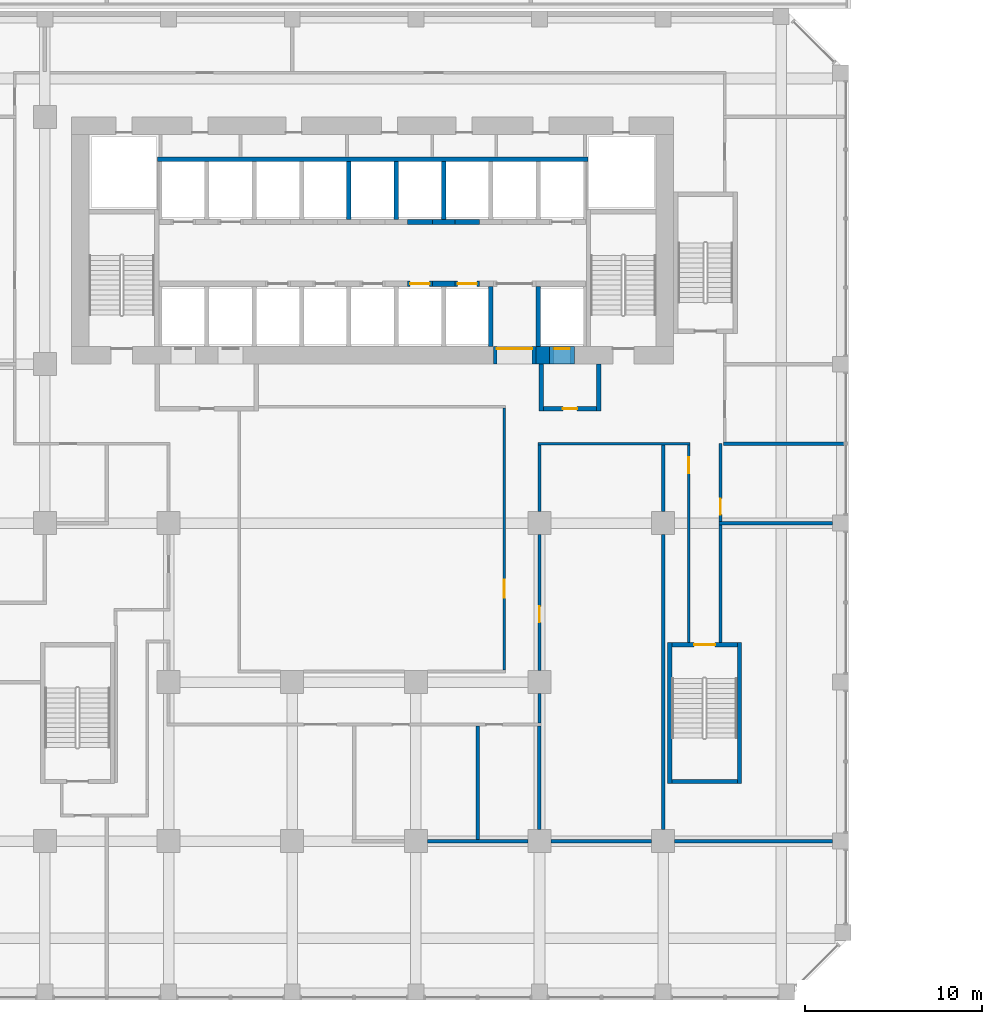
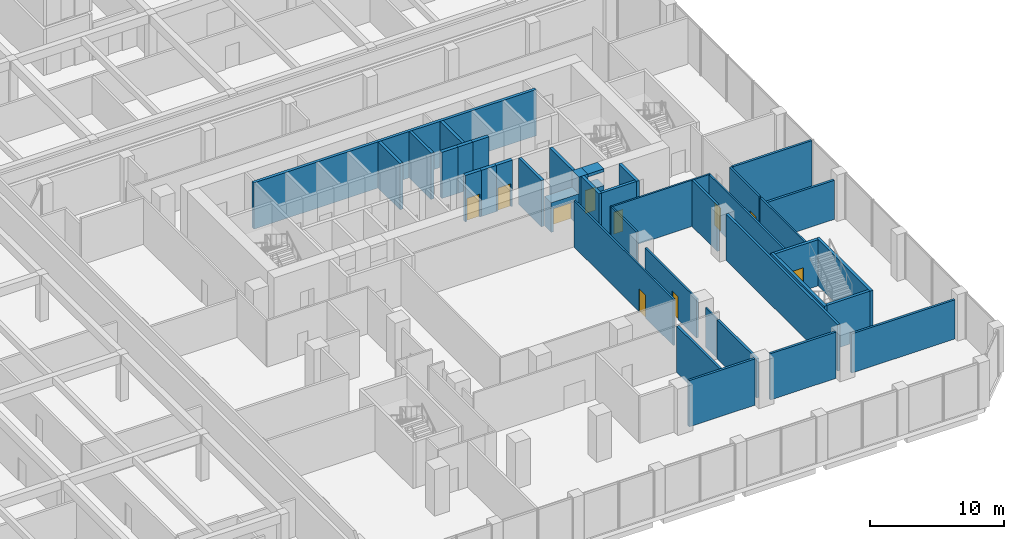
# One storey, part 18 of 35: 40 walls, 10 doors, 10 openings.
"""IFC4 building model written with IfcOpenShell, lengths in metres."""

from ifc_helpers import new_model, si_unit, direction, frame, frame_2d, origin, place, context, subcontext, project, spatial, rectangle, extrude, source, transform, mapped, material, layer, layer_set, type_object, element, fill, save


model = new_model("IFC4")

# Units and contexts
model_context = context("Model", 3, precision=1e-05, world=origin(), true_north=direction((0.0, 1.0)))
body_context = subcontext(model_context, "Body", "Model", "MODEL_VIEW")
ifc_project = project(units=[si_unit("LENGTHUNIT", "METRE"), si_unit("AREAUNIT", "SQUARE_METRE"), si_unit("VOLUMEUNIT", "CUBIC_METRE"), si_unit("PLANEANGLEUNIT", "RADIAN"), si_unit("MASSUNIT", "GRAM", prefix="KILO")], contexts=[model_context])

# Site, building, storey
site_placement = place(None, origin())
site = spatial("IfcSite", under=ifc_project, at=site_placement, CompositionType="ELEMENT")
building_placement = place(site_placement, origin())
building = spatial("IfcBuilding", under=site, at=building_placement, Name="Kilnfold Tower and Market Hall", CompositionType="ELEMENT")
storey_placement = place(building_placement, frame((0.0, 0.0, 22.5)))
storey = spatial("IfcBuildingStorey", under=building, at=storey_placement, Name="L04", CompositionType="ELEMENT", Elevation=22.5)

# Walls
ifc_material_1 = material(Name="Gypsum board on steel studs", Category="steel")
ifc_layer_1 = layer(ifc_material_1, 0.14990234375)
ifc_layer_set_1 = layer_set([ifc_layer_1], Name="Gypsum board on steel studs")
wall_type_1 = type_object("IfcWallType", Name="WALL CORRIDOR 150", PredefinedType="PARTITIONING", material=ifc_layer_set_1)
wall_1_placement = place(storey_placement, frame((10.425048828125, 3.5, 0.0), z_axis=(0.0, 0.0, 1.0), x_axis=(1.0, 0.0, 0.0)))
element("IfcWall", 1, at=wall_1_placement, inside=storey, type_object=wall_type_1, Name="Partition LY05.18", PredefinedType="PARTITIONING", context=body_context, shape_type="SweptSolid", body=[
    extrude(rectangle(XDim=8.599853515625, YDim=0.14990234375, at=frame_2d((4.2998046875, 0.0))), origin(), (0.0, 0.0, 1.0), 4.219970703125),
])
wall_2_placement = place(storey_placement, frame((10.5, -0.35009765625, 0.0), z_axis=(0.0, 0.0, 1.0), x_axis=(0.0, 1.0, 0.0)))
element("IfcWall", 2, at=wall_2_placement, inside=storey, type_object=wall_type_1, Name="Partition LY05.19", PredefinedType="PARTITIONING", context=body_context, shape_type="SweptSolid", body=[
    extrude(rectangle(XDim=3.775146484375, YDim=0.14990234375, at=frame_2d((1.8876953125, 0.0))), origin(), (0.0, 0.0, 1.0), 4.219970703125),
])

# Wall, opening, door
wall_3_placement = place(storey_placement, frame((10.5, -9.35009765625, 0.0), z_axis=(0.0, 0.0, 1.0), x_axis=(0.0, 1.0, 0.0)))
wall_3 = element("IfcWall", 3, at=wall_3_placement, inside=storey, type_object=wall_type_1, Name="Partition LY05.20", PredefinedType="PARTITIONING", context=body_context, shape_type="SweptSolid", body=[
    extrude(rectangle(XDim=7.7001953125, YDim=0.14990234375, at=frame_2d((3.85009765625, 0.0))), origin(), (0.0, 0.0, 1.0), 3.570068359375),
])
opening_1_placement = place(wall_3_placement, frame((2.739990234375, 0.0, 0.0)))
opening_1 = element("IfcOpeningElement", 4, at=opening_1_placement, cuts=wall_3, Name="Opening D2", PredefinedType="OPENING", context=body_context, shape_type="SweptSolid", body=[
    extrude(rectangle(XDim=0.89990234375, YDim=2.10009765625, at=frame_2d((0.449951171875, 1.050048828125))), frame((0.0, 0.0849609375, 0.0), z_axis=(0.0, -1.0, 0.0), x_axis=(1.0, 0.0, 0.0)), (0.0, 0.0, 1.0), 0.169921875),
])
ifc_material_2 = material(Name="Timber veneer door leaf in steel frame", Category="steel")
door_type_1 = type_object("IfcDoorType", Name="DOOR ROOM 900 X2100", OperationType="NOTDEFINED", PredefinedType="DOOR", material=ifc_material_2)
door_1_placement = place(opening_1_placement, origin())
door_1 = element("IfcDoor", 5, at=door_1_placement, inside=storey, type_object=door_type_1, Name="Door D2", OperationType="SINGLE_SWING_RIGHT", OverallHeight=2.10009765625, OverallWidth=0.89990234375, PredefinedType="DOOR", context=body_context, shape_type="SweptSolid", body=[
    extrude(rectangle(XDim=0.89990234375, YDim=2.10009765625, at=frame_2d((0.449951171875, 1.050048828125))), frame((0.0, 0.02490234375, 0.0), z_axis=(0.0, -1.0, 0.0), x_axis=(1.0, 0.0, 0.0)), (0.0, 0.0, 1.0), 0.050048828125),
])
fill(opening_1, door_1)

# Walls
wall_4_placement = place(storey_placement, frame((10.5, -12.324951171875, 0.0), z_axis=(0.0, 0.0, 1.0), x_axis=(0.0, 1.0, 0.0)))
element("IfcWall", 6, at=wall_4_placement, inside=storey, type_object=wall_type_1, Name="Partition LY05.21", PredefinedType="PARTITIONING", context=body_context, shape_type="SweptSolid", body=[
    extrude(rectangle(XDim=1.675048828125, YDim=0.14990234375, at=frame_2d((0.83740234375, 0.0))), origin(), (0.0, 0.0, 1.0), 3.570068359375),
])
wall_5_placement = place(storey_placement, frame((20.75, -7.75, 0.0), z_axis=(0.0, 0.0, 1.0), x_axis=(0.0, 1.0, 0.0)))
element("IfcWall", 7, at=wall_5_placement, inside=storey, type_object=wall_type_1, Name="Partition LY05.22", PredefinedType="PARTITIONING", context=body_context, shape_type="SweptSolid", body=[
    extrude(rectangle(XDim=6.659912109375, YDim=0.14990234375, at=frame_2d((3.330078125, 0.0))), origin(), (0.0, 0.0, 1.0), 4.219970703125),
])

# Wall, opening, door
wall_6_placement = place(storey_placement, frame((18.949951171875, 3.425048828125, 0.0), z_axis=(0.0, 0.0, 1.0), x_axis=(0.0, -1.0, 0.0)))
wall_6 = element("IfcWall", 8, at=wall_6_placement, inside=storey, type_object=wall_type_1, Name="Partition LY05.23", PredefinedType="PARTITIONING", context=body_context, shape_type="SweptSolid", body=[
    extrude(rectangle(XDim=11.175048828125, YDim=0.14990234375, at=frame_2d((5.58740234375, 0.0))), origin(), (0.0, 0.0, 1.0), 4.219970703125),
])
opening_2_placement = place(wall_6_placement, frame((0.7041015625, 0.0, 0.0)))
opening_2 = element("IfcOpeningElement", 9, at=opening_2_placement, cuts=wall_6, Name="Opening D2", PredefinedType="OPENING", context=body_context, shape_type="SweptSolid", body=[
    extrude(rectangle(XDim=0.89990234375, YDim=2.10009765625, at=frame_2d((0.449951171875, 1.050048828125))), frame((0.0, 0.0849609375, 0.0), z_axis=(0.0, -1.0, 0.0), x_axis=(1.0, 0.0, 0.0)), (0.0, 0.0, 1.0), 0.169921875),
])
door_2_placement = place(opening_2_placement, origin())
door_2 = element("IfcDoor", 10, at=door_2_placement, inside=storey, type_object=door_type_1, Name="Door D2", OperationType="SINGLE_SWING_RIGHT", OverallHeight=2.10009765625, OverallWidth=0.89990234375, PredefinedType="DOOR", context=body_context, shape_type="SweptSolid", body=[
    extrude(rectangle(XDim=0.89990234375, YDim=2.10009765625, at=frame_2d((0.449951171875, 1.050048828125))), frame((0.0, 0.02490234375, 0.0), z_axis=(0.0, -1.0, 0.0), x_axis=(1.0, 0.0, 0.0)), (0.0, 0.0, 1.0), 0.050048828125),
])
fill(opening_2, door_2)

wall_7_placement = place(storey_placement, frame((20.75, -0.909912109375, 0.0), z_axis=(0.0, 0.0, 1.0), x_axis=(0.0, 1.0, 0.0)))
wall_7 = element("IfcWall", 11, at=wall_7_placement, inside=storey, type_object=wall_type_1, Name="Partition LY05.24", PredefinedType="PARTITIONING", context=body_context, shape_type="SweptSolid", body=[
    extrude(rectangle(XDim=4.409912109375, YDim=0.14990234375, at=frame_2d((2.205078125, 0.0))), origin(), (0.0, 0.0, 1.0), 4.219970703125),
])
opening_3_placement = place(wall_7_placement, frame((0.40087890625, 0.0, 0.0)))
opening_3 = element("IfcOpeningElement", 12, at=opening_3_placement, cuts=wall_7, Name="Opening D2", PredefinedType="OPENING", context=body_context, shape_type="SweptSolid", body=[
    extrude(rectangle(XDim=0.89990234375, YDim=2.10009765625, at=frame_2d((0.449951171875, 1.050048828125))), frame((0.0, 0.0849609375, 0.0), z_axis=(0.0, -1.0, 0.0), x_axis=(1.0, 0.0, 0.0)), (0.0, 0.0, 1.0), 0.169921875),
])
door_3_placement = place(opening_3_placement, origin())
door_3 = element("IfcDoor", 13, at=door_3_placement, inside=storey, type_object=door_type_1, Name="Door D2", OperationType="SINGLE_SWING_LEFT", OverallHeight=2.10009765625, OverallWidth=0.89990234375, PredefinedType="DOOR", context=body_context, shape_type="SweptSolid", body=[
    extrude(rectangle(XDim=0.89990234375, YDim=2.10009765625, at=frame_2d((0.449951171875, 1.050048828125))), frame((0.0, 0.02490234375, 0.0), z_axis=(0.0, -1.0, 0.0), x_axis=(1.0, 0.0, 0.0)), (0.0, 0.0, 1.0), 0.050048828125),
])
fill(opening_3, door_3)

wall_8_placement = place(storey_placement, frame((8.5, 5.52490234375, 0.0), z_axis=(0.0, 0.0, 1.0), x_axis=(0.0, -1.0, 0.0)))
wall_8 = element("IfcWall", 14, at=wall_8_placement, inside=storey, type_object=wall_type_1, Name="Partition LY05.36", PredefinedType="PARTITIONING", context=body_context, shape_type="SweptSolid", body=[
    extrude(rectangle(XDim=14.849853515625, YDim=0.14990234375, at=frame_2d((7.4248046875, 0.0))), origin(), (0.0, 0.0, 1.0), 4.219970703125),
])
opening_4_placement = place(wall_8_placement, frame((9.735107421875, 0.0, 0.0)))
opening_4 = element("IfcOpeningElement", 15, at=opening_4_placement, cuts=wall_8, Name="Opening D1", PredefinedType="OPENING", context=body_context, shape_type="SweptSolid", body=[
    extrude(rectangle(XDim=1.0, YDim=2.10009765625, at=frame_2d((0.5, 1.050048828125))), frame((0.0, 0.0849609375, 0.0), z_axis=(0.0, -1.0, 0.0), x_axis=(1.0, 0.0, 0.0)), (0.0, 0.0, 1.0), 0.169921875),
])
ifc_material_3 = material(Name="Timber veneer door leaf in steel frame", Category="steel")
door_type_2 = type_object("IfcDoorType", Name="DOOR ENTRY 1000 X2100", OperationType="NOTDEFINED", PredefinedType="DOOR", material=ifc_material_3)
door_4_placement = place(opening_4_placement, origin())
door_4 = element("IfcDoor", 16, at=door_4_placement, inside=storey, type_object=door_type_2, Name="Door D1", OperationType="SINGLE_SWING_LEFT", OverallHeight=2.10009765625, OverallWidth=1.0, PredefinedType="DOOR", context=body_context, shape_type="SweptSolid", body=[
    extrude(rectangle(XDim=1.0, YDim=2.10009765625, at=frame_2d((0.5, 1.050048828125))), frame((0.0, 0.02490234375, 0.0), z_axis=(0.0, -1.0, 0.0), x_axis=(1.0, 0.0, 0.0)), (0.0, 0.0, 1.0), 0.050048828125),
])
fill(opening_4, door_4)

# Walls
ifc_material_4 = material(Name="Gypsum board on steel studs", Category="steel")
ifc_layer_2 = layer(ifc_material_4, 0.199951171875)
ifc_layer_set_2 = layer_set([ifc_layer_2], Name="Gypsum board on steel studs")
wall_type_2 = type_object("IfcWallType", Name="WALL PARTY 200", PredefinedType="PARTITIONING", material=ifc_layer_set_2)
for number, where, z_axis, x_axis, name in (
    (17, (4.14990234375, -19.0, 0.0), (0.0, 0.0, 1.0), (1.0, 0.0, 0.0), "Partition LY05.47"),
    (18, (11.14990234375, -19.0, 0.0), (0.0, 0.0, 1.0), (1.0, 0.0, 0.0), "Partition LY05.48"),
):
    element("IfcWall", number, at=place(storey_placement, frame(where, z_axis=z_axis, x_axis=x_axis)), inside=storey, type_object=wall_type_2, Name=name, PredefinedType="PARTITIONING", context=body_context, shape_type="SweptSolid", body=[
        extrude(rectangle(XDim=5.7001953125, YDim=0.199951171875, at=frame_2d((2.85009765625, 0.0))), origin(), (0.0, 0.0, 1.0), 4.219970703125),
    ])
wall_9_placement = place(storey_placement, frame((18.14990234375, -19.0, 0.0), z_axis=(0.0, 0.0, 1.0), x_axis=(1.0, 0.0, 0.0)))
element("IfcWall", 19, at=wall_9_placement, inside=storey, type_object=wall_type_2, Name="Partition LY05.49", PredefinedType="PARTITIONING", context=body_context, shape_type="SweptSolid", body=[
    extrude(rectangle(XDim=8.9501953125, YDim=0.199951171875, at=frame_2d((4.47509765625, 0.0))), origin(), (0.0, 0.0, 1.0), 3.570068359375),
])
wall_10_placement = place(storey_placement, frame((7.0, -18.89990234375, 0.0), z_axis=(0.0, 0.0, 1.0), x_axis=(0.0, 1.0, 0.0)))
element("IfcWall", 20, at=wall_10_placement, inside=storey, type_object=wall_type_2, Name="Partition LY05.50", PredefinedType="PARTITIONING", context=body_context, shape_type="SweptSolid", body=[
    extrude(rectangle(XDim=6.423828125, YDim=0.199951171875, at=frame_2d((3.2119140625, 0.0))), origin(), (0.0, 0.0, 1.0), 4.219970703125),
])
wall_11_placement = place(storey_placement, frame((10.5, -18.35009765625, 0.0), z_axis=(0.0, 0.0, 1.0), x_axis=(0.0, 1.0, 0.0)))
element("IfcWall", 21, at=wall_11_placement, inside=storey, type_object=wall_type_2, Name="Partition LY05.51", PredefinedType="PARTITIONING", context=body_context, shape_type="SweptSolid", body=[
    extrude(rectangle(XDim=5.8740234375, YDim=0.199951171875, at=frame_2d((2.93701171875, 0.0))), origin(), (0.0, 0.0, 1.0), 3.570068359375),
])
wall_12_placement = place(storey_placement, frame((17.5, -0.35009765625, 0.0), z_axis=(0.0, 0.0, 1.0), x_axis=(0.0, 1.0, 0.0)))
element("IfcWall", 22, at=wall_12_placement, inside=storey, type_object=wall_type_2, Name="Partition LY05.52", PredefinedType="PARTITIONING", context=body_context, shape_type="SweptSolid", body=[
    extrude(rectangle(XDim=3.774169921875, YDim=0.199951171875, at=frame_2d((1.88720703125, 0.0))), origin(), (0.0, 0.0, 1.0), 4.219970703125),
])
wall_13_placement = place(storey_placement, frame((17.5, -18.35009765625, 0.0), z_axis=(0.0, 0.0, 1.0), x_axis=(0.0, 1.0, 0.0)))
element("IfcWall", 23, at=wall_13_placement, inside=storey, type_object=wall_type_2, Name="Partition LY05.53", PredefinedType="PARTITIONING", context=body_context, shape_type="SweptSolid", body=[
    extrude(rectangle(XDim=16.7001953125, YDim=0.199951171875, at=frame_2d((8.35009765625, 0.0))), origin(), (0.0, 0.0, 1.0), 4.219970703125),
])
wall_14_placement = place(storey_placement, frame((20.676025390625, -1.0, 0.0), z_axis=(0.0, 0.0, 1.0), x_axis=(1.0, 0.0, 0.0)))
element("IfcWall", 24, at=wall_14_placement, inside=storey, type_object=wall_type_2, Name="Partition LY05.54", PredefinedType="PARTITIONING", context=body_context, shape_type="SweptSolid", body=[
    extrude(rectangle(XDim=6.424072265625, YDim=0.199951171875, at=frame_2d((3.2119140625, 0.0))), origin(), (0.0, 0.0, 1.0), 3.570068359375),
])
wall_15_placement = place(storey_placement, frame((27.75, 3.5, 0.0), z_axis=(0.0, 0.0, 1.0), x_axis=(-1.0, 0.0, 0.0)))
element("IfcWall", 25, at=wall_15_placement, inside=storey, type_object=wall_type_2, Name="Partition LY05.55", PredefinedType="PARTITIONING", context=body_context, shape_type="SweptSolid", body=[
    extrude(rectangle(XDim=6.823974609375, YDim=0.199951171875, at=frame_2d((3.412109375, 0.0))), origin(), (0.0, 0.0, 1.0), 4.219970703125),
])
ifc_material_5 = material(Name="Concrete C80", Category="concrete")
ifc_layer_3 = layer(ifc_material_5, 1.0)
ifc_layer_set_3 = layer_set([ifc_layer_3], Name="Concrete C80")
wall_type_3 = type_object("IfcWallType", Name="CORE WALL 1000 C80", PredefinedType="SHEAR", material=ifc_layer_set_3)
shared_shape_1 = source(origin(), body_context, "Body", "SweptSolid", [
    extrude(rectangle(XDim=0.780029296875, YDim=1.0, at=frame_2d((0.39013671875, 0.0))), origin(), (0.0, 0.0, 1.0), 4.219970703125),
])
wall_16_placement = place(storey_placement, frame((10.2900390625, 8.5, 0.0), z_axis=(0.0, 0.0, 1.0), x_axis=(1.0, 0.0, 0.0)))
element("IfcWall", 26, at=wall_16_placement, inside=storey, type_object=wall_type_3, Name="Core outer wall south", PredefinedType="SHEAR", context=body_context, shape_type="MappedRepresentation", body=[
    mapped(shared_shape_1, transform((0.0, 0.0, 0.0))),
])
ifc_material_6 = material(Name="Concrete C80", Category="concrete")
ifc_layer_4 = layer(ifc_material_6, 0.25)
ifc_layer_set_4 = layer_set([ifc_layer_4], Name="Concrete C80")
wall_type_4 = type_object("IfcWallType", Name="CORE WALL 250 C80", PredefinedType="SHEAR", material=ifc_layer_set_4)
shared_shape_2 = source(origin(), body_context, "Body", "SweptSolid", [
    extrude(rectangle(XDim=3.699951171875, YDim=0.25, at=frame_2d((1.85009765625, 0.0))), origin(), (0.0, 0.0, 1.0), 4.219970703125),
])
wall_17_placement = place(storey_placement, frame((18.0, -15.625, 0.0), z_axis=(0.0, 0.0, 1.0), x_axis=(1.0, 0.0, 0.0)))
element("IfcWall", 27, at=wall_17_placement, inside=storey, type_object=wall_type_4, Name="Stair enclosure ST4", PredefinedType="SHEAR", context=body_context, shape_type="MappedRepresentation", body=[
    mapped(shared_shape_2, transform((0.0, 0.0, 0.0))),
])

# Wall, opening, door
wall_18_placement = place(storey_placement, frame((18.0, -7.875, 0.0), z_axis=(0.0, 0.0, 1.0), x_axis=(1.0, 0.0, 0.0)))
wall_18 = element("IfcWall", 28, at=wall_18_placement, inside=storey, type_object=wall_type_4, Name="Stair enclosure ST4", PredefinedType="SHEAR", context=body_context, shape_type="MappedRepresentation", body=[
    mapped(shared_shape_2, transform((0.0, 0.0, 0.0))),
])
opening_5_placement = place(wall_18_placement, frame((1.25, 0.0, 0.0)))
opening_5 = element("IfcOpeningElement", 29, at=opening_5_placement, cuts=wall_18, Name="Opening SD1", PredefinedType="OPENING", context=body_context, shape_type="SweptSolid", body=[
    extrude(rectangle(XDim=1.199951171875, YDim=2.10009765625, at=frame_2d((0.60009765625, 1.050048828125))), frame((0.0, 0.135009765625, 0.0), z_axis=(0.0, -1.0, 0.0), x_axis=(1.0, 0.0, 0.0)), (0.0, 0.0, 1.0), 0.27001953125),
])
ifc_material_7 = material(Name="Steel door set with fire-resisting leaf", Category="steel")
door_type_3 = type_object("IfcDoorType", Name="STAIR FLOOR DOOR 1200X2100", OperationType="NOTDEFINED", PredefinedType="DOOR", material=ifc_material_7)
door_5_placement = place(opening_5_placement, origin())
door_5 = element("IfcDoor", 30, at=door_5_placement, inside=storey, type_object=door_type_3, Name="Exit stair ST4 door", OperationType="DOUBLE_DOOR_SINGLE_SWING", OverallHeight=2.10009765625, OverallWidth=1.199951171875, PredefinedType="DOOR", context=body_context, shape_type="SweptSolid", body=[
    extrude(rectangle(XDim=1.199951171875, YDim=2.10009765625, at=frame_2d((0.60009765625, 1.050048828125))), frame((0.0, 0.02490234375, 0.0), z_axis=(0.0, -1.0, 0.0), x_axis=(1.0, 0.0, 0.0)), (0.0, 0.0, 1.0), 0.050048828125),
])
fill(opening_5, door_5)

# Walls
shared_shape_3 = source(origin(), body_context, "Body", "SweptSolid", [
    extrude(rectangle(XDim=8.0, YDim=0.25, at=frame_2d((4.0, 0.0))), origin(), (0.0, 0.0, 1.0), 4.219970703125),
])
for number, where, z_axis, x_axis, name in (
    (31, (17.875, -15.75, 0.0), (0.0, 0.0, 1.0), (0.0, 1.0, 0.0), "Stair enclosure ST4"),
    (32, (21.824951171875, -15.75, 0.0), (0.0, 0.0, 1.0), (0.0, 1.0, 0.0), "Stair enclosure ST4"),
):
    element("IfcWall", number, at=place(storey_placement, frame(where, z_axis=z_axis, x_axis=x_axis)), inside=storey, type_object=wall_type_4, Name=name, PredefinedType="SHEAR", context=body_context, shape_type="MappedRepresentation", body=[
        mapped(shared_shape_3, transform((0.0, 0.0, 0.0))),
    ])
ifc_material_8 = material(Name="Concrete C80", Category="concrete")
ifc_layer_5 = layer(ifc_material_8, 0.300048828125)
ifc_layer_set_5 = layer_set([ifc_layer_5], Name="Concrete C80")
wall_type_5 = type_object("IfcWallType", Name="CORE WALL 300 C80", PredefinedType="SHEAR", material=ifc_layer_set_5)
shared_shape_4 = source(origin(), body_context, "Body", "SweptSolid", [
    extrude(rectangle(XDim=1.280029296875, YDim=0.300048828125, at=frame_2d((0.64013671875, 0.0))), origin(), (0.0, 0.0, 1.0), 4.219970703125),
])
for number, where, z_axis, x_axis, name in (
    (33, (4.429931640625, 12.550048828125, 0.0), (0.0, 0.0, 1.0), (1.0, 0.0, 0.0), "Core spine wall"),
    (34, (4.429931640625, 16.050048828125, 0.0), (0.0, 0.0, 1.0), (1.0, 0.0, 0.0), "Core spine wall"),
):
    element("IfcWall", number, at=place(storey_placement, frame(where, z_axis=z_axis, x_axis=x_axis)), inside=storey, type_object=wall_type_5, Name=name, PredefinedType="SHEAR", context=body_context, shape_type="MappedRepresentation", body=[
        mapped(shared_shape_4, transform((0.0, 0.0, 0.0))),
    ])
shared_shape_5 = source(origin(), body_context, "Body", "SweptSolid", [
    extrude(rectangle(XDim=1.39990234375, YDim=1.0, at=frame_2d((0.699951171875, 0.0))), origin(), (0.0, 0.0, 1.0), 0.27001953125),
])
wall_19_placement = place(storey_placement, frame((11.070068359375, 8.5, 3.949951171875), z_axis=(0.0, 0.0, 1.0), x_axis=(1.0, 0.0, 0.0)))
element("IfcWall", 35, at=wall_19_placement, inside=storey, type_object=wall_type_3, Name="Core wall over opening", PredefinedType="SHEAR", context=body_context, shape_type="MappedRepresentation", body=[
    mapped(shared_shape_5, transform((0.0, 0.0, 0.0))),
])

# Wall, opening, door
ifc_material_9 = material(Name="Gypsum shaft wall system")
ifc_layer_6 = layer(ifc_material_9, 1.0)
ifc_layer_set_6 = layer_set([ifc_layer_6], Name="Gypsum shaft wall system")
wall_type_6 = type_object("IfcWallType", Name="LOBBY WALL 1000", PredefinedType="PARTITIONING", material=ifc_layer_set_6)
shared_shape_6 = source(origin(), body_context, "Body", "SweptSolid", [
    extrude(rectangle(XDim=1.39990234375, YDim=1.0, at=frame_2d((0.699951171875, 0.0))), origin(), (0.0, 0.0, 1.0), 2.699951171875),
])
wall_20_placement = place(storey_placement, frame((11.070068359375, 8.5, 0.0), z_axis=(0.0, 0.0, 1.0), x_axis=(1.0, 0.0, 0.0)))
wall_20 = element("IfcWall", 36, at=wall_20_placement, inside=storey, type_object=wall_type_6, Name="Core wall infill", PredefinedType="PARTITIONING", context=body_context, shape_type="MappedRepresentation", body=[
    mapped(shared_shape_6, transform((0.0, 0.0, 0.0))),
])
opening_6_placement = place(wall_20_placement, frame((0.25, 0.0, 0.0)))
opening_6 = element("IfcOpeningElement", 37, at=opening_6_placement, cuts=wall_20, Name="Opening LD1", PredefinedType="OPENING", context=body_context, shape_type="SweptSolid", body=[
    extrude(rectangle(XDim=0.89990234375, YDim=2.10009765625, at=frame_2d((0.449951171875, 1.050048828125))), frame((0.0, 0.510009765625, 0.0), z_axis=(0.0, -1.0, 0.0), x_axis=(1.0, 0.0, 0.0)), (0.0, 0.0, 1.0), 1.02001953125),
])
ifc_material_10 = material(Name="Steel door set with fire-resisting leaf", Category="steel")
door_type_4 = type_object("IfcDoorType", Name="FIREFIGHTING LANDING DOOR 900X2100", OperationType="NOTDEFINED", PredefinedType="DOOR", material=ifc_material_10)
door_6_placement = place(opening_6_placement, origin())
door_6 = element("IfcDoor", 38, at=door_6_placement, inside=storey, type_object=door_type_4, Name="Landing door FF3", OperationType="SLIDING_TO_LEFT", OverallHeight=2.10009765625, OverallWidth=0.89990234375, PredefinedType="DOOR", context=body_context, shape_type="SweptSolid", body=[
    extrude(rectangle(XDim=0.89990234375, YDim=2.10009765625, at=frame_2d((0.449951171875, 1.050048828125))), frame((0.0, 0.40478515625, 0.0), z_axis=(0.0, -1.0, 0.0), x_axis=(1.0, 0.0, 0.0)), (0.0, 0.0, 1.0), 0.050048828125),
])
fill(opening_6, door_6)

shared_shape_7 = source(origin(), body_context, "Body", "SweptSolid", [
    extrude(rectangle(XDim=2.400146484375, YDim=1.0, at=frame_2d((1.2001953125, 0.0))), origin(), (0.0, 0.0, 1.0), 2.699951171875),
])
wall_21_placement = place(storey_placement, frame((7.889892578125, 8.5, 0.0), z_axis=(0.0, 0.0, 1.0), x_axis=(1.0, 0.0, 0.0)))
wall_21 = element("IfcWall", 39, at=wall_21_placement, inside=storey, type_object=wall_type_6, Name="Core wall infill", PredefinedType="PARTITIONING", context=body_context, shape_type="MappedRepresentation", body=[
    mapped(shared_shape_7, transform((0.0, 0.0, 0.0))),
])
opening_7_placement = place(wall_21_placement, frame((0.199951171875, 0.0, 0.0)))
opening_7 = element("IfcOpeningElement", 40, at=opening_7_placement, cuts=wall_21, Name="Opening VD2", PredefinedType="OPENING", context=body_context, shape_type="SweptSolid", body=[
    extrude(rectangle(XDim=2.0, YDim=2.10009765625, at=frame_2d((1.0, 1.050048828125))), frame((0.0, 0.510009765625, 0.0), z_axis=(0.0, -1.0, 0.0), x_axis=(1.0, 0.0, 0.0)), (0.0, 0.0, 1.0), 1.02001953125),
])
ifc_material_11 = material(Name="Steel door set with fire-resisting leaf", Category="steel")
door_type_5 = type_object("IfcDoorType", Name="LIFT LOBBY ENTRANCE DOOR 2000X2100", OperationType="NOTDEFINED", PredefinedType="DOOR", material=ifc_material_11)
door_7_placement = place(opening_7_placement, origin())
door_7 = element("IfcDoor", 41, at=door_7_placement, inside=storey, type_object=door_type_5, Name="Lift lobby entrance door", OperationType="DOUBLE_DOOR_SINGLE_SWING", OverallHeight=2.10009765625, OverallWidth=2.0, PredefinedType="DOOR", context=body_context, shape_type="SweptSolid", body=[
    extrude(rectangle(XDim=2.0, YDim=2.10009765625, at=frame_2d((1.0, 1.050048828125))), frame((0.0, 0.40478515625, 0.0), z_axis=(0.0, -1.0, 0.0), x_axis=(1.0, 0.0, 0.0)), (0.0, 0.0, 1.0), 0.050048828125),
])
fill(opening_7, door_7)

ifc_material_12 = material(Name="Gypsum shaft wall system")
ifc_layer_7 = layer(ifc_material_12, 0.300048828125)
ifc_layer_set_7 = layer_set([ifc_layer_7], Name="Gypsum shaft wall system")
wall_type_7 = type_object("IfcWallType", Name="SHAFT WALL 300", PredefinedType="PARTITIONING", material=ifc_layer_set_7)
shared_shape_8 = source(origin(), body_context, "Body", "SweptSolid", [
    extrude(rectangle(XDim=1.39990234375, YDim=0.300048828125, at=frame_2d((0.699951171875, 0.0))), origin(), (0.0, 0.0, 1.0), 4.219970703125),
])
wall_22_placement = place(storey_placement, frame((3.030029296875, 12.550048828125, 0.0), z_axis=(0.0, 0.0, 1.0), x_axis=(1.0, 0.0, 0.0)))
wall_22 = element("IfcWall", 42, at=wall_22_placement, inside=storey, type_object=wall_type_7, Name="Lift shaft front wall", PredefinedType="PARTITIONING", context=body_context, shape_type="MappedRepresentation", body=[
    mapped(shared_shape_8, transform((0.0, 0.0, 0.0))),
])
opening_8_placement = place(wall_22_placement, frame((0.14990234375, 0.0, 0.0)))
opening_8 = element("IfcOpeningElement", 43, at=opening_8_placement, cuts=wall_22, Name="Opening LD2", PredefinedType="OPENING", context=body_context, shape_type="SweptSolid", body=[
    extrude(rectangle(XDim=1.10009765625, YDim=2.10009765625, at=frame_2d((0.550048828125, 1.050048828125))), frame((0.0, 0.16015625, 0.0), z_axis=(0.0, -1.0, 0.0), x_axis=(1.0, 0.0, 0.0)), (0.0, 0.0, 1.0), 0.320068359375),
])
ifc_material_13 = material(Name="Steel door set with fire-resisting leaf", Category="steel")
door_type_6 = type_object("IfcDoorType", Name="LANDING DOOR 1100X2100", OperationType="NOTDEFINED", PredefinedType="DOOR", material=ifc_material_13)
door_8_placement = place(opening_8_placement, origin())
door_8 = element("IfcDoor", 44, at=door_8_placement, inside=storey, type_object=door_type_6, Name="Landing door LR4", OperationType="DOUBLE_DOOR_SLIDING", OverallHeight=2.10009765625, OverallWidth=1.10009765625, PredefinedType="DOOR", context=body_context, shape_type="SweptSolid", body=[
    extrude(rectangle(XDim=1.10009765625, YDim=2.10009765625, at=frame_2d((0.550048828125, 1.050048828125))), frame((0.0, 0.02490234375, 0.0), z_axis=(0.0, -1.0, 0.0), x_axis=(1.0, 0.0, 0.0)), (0.0, 0.0, 1.0), 0.050048828125),
])
fill(opening_8, door_8)

# Wall
wall_23_placement = place(storey_placement, frame((3.030029296875, 16.050048828125, 0.0), z_axis=(0.0, 0.0, 1.0), x_axis=(1.0, 0.0, 0.0)))
element("IfcWall", 45, at=wall_23_placement, inside=storey, type_object=wall_type_7, Name="Lift shaft front wall", PredefinedType="PARTITIONING", context=body_context, shape_type="MappedRepresentation", body=[
    mapped(shared_shape_8, transform((0.0, 0.0, 0.0))),
])

# Wall, opening, door
shared_shape_9 = source(origin(), body_context, "Body", "SweptSolid", [
    extrude(rectangle(XDim=1.400146484375, YDim=0.300048828125, at=frame_2d((0.7001953125, 0.0))), origin(), (0.0, 0.0, 1.0), 4.219970703125),
])
wall_24_placement = place(storey_placement, frame((5.7099609375, 12.550048828125, 0.0), z_axis=(0.0, 0.0, 1.0), x_axis=(1.0, 0.0, 0.0)))
wall_24 = element("IfcWall", 46, at=wall_24_placement, inside=storey, type_object=wall_type_7, Name="Lift shaft front wall", PredefinedType="PARTITIONING", context=body_context, shape_type="MappedRepresentation", body=[
    mapped(shared_shape_9, transform((0.0, 0.0, 0.0))),
])
opening_9_placement = place(wall_24_placement, frame((0.14990234375, 0.0, 0.0)))
opening_9 = element("IfcOpeningElement", 47, at=opening_9_placement, cuts=wall_24, Name="Opening LD2", PredefinedType="OPENING", context=body_context, shape_type="SweptSolid", body=[
    extrude(rectangle(XDim=1.10009765625, YDim=2.10009765625, at=frame_2d((0.550048828125, 1.050048828125))), frame((0.0, 0.16015625, 0.0), z_axis=(0.0, -1.0, 0.0), x_axis=(1.0, 0.0, 0.0)), (0.0, 0.0, 1.0), 0.320068359375),
])
door_9_placement = place(opening_9_placement, origin())
door_9 = element("IfcDoor", 48, at=door_9_placement, inside=storey, type_object=door_type_6, Name="Landing door LR5", OperationType="DOUBLE_DOOR_SLIDING", OverallHeight=2.10009765625, OverallWidth=1.10009765625, PredefinedType="DOOR", context=body_context, shape_type="SweptSolid", body=[
    extrude(rectangle(XDim=1.10009765625, YDim=2.10009765625, at=frame_2d((0.550048828125, 1.050048828125))), frame((0.0, 0.02490234375, 0.0), z_axis=(0.0, -1.0, 0.0), x_axis=(1.0, 0.0, 0.0)), (0.0, 0.0, 1.0), 0.050048828125),
])
fill(opening_9, door_9)

# Walls
wall_25_placement = place(storey_placement, frame((5.7099609375, 16.050048828125, 0.0), z_axis=(0.0, 0.0, 1.0), x_axis=(1.0, 0.0, 0.0)))
element("IfcWall", 49, at=wall_25_placement, inside=storey, type_object=wall_type_7, Name="Lift shaft front wall", PredefinedType="PARTITIONING", context=body_context, shape_type="MappedRepresentation", body=[
    mapped(shared_shape_9, transform((0.0, 0.0, 0.0))),
])
ifc_material_14 = material(Name="Gypsum shaft wall system")
ifc_layer_8 = layer(ifc_material_14, 0.25)
ifc_layer_set_8 = layer_set([ifc_layer_8], Name="Gypsum shaft wall system")
wall_type_8 = type_object("IfcWallType", Name="LOBBY WALL 250", PredefinedType="PARTITIONING", material=ifc_layer_set_8)
shared_shape_10 = source(origin(), body_context, "Body", "SweptSolid", [
    extrude(rectangle(XDim=2.64990234375, YDim=0.25, at=frame_2d((1.324951171875, 0.0))), origin(), (0.0, 0.0, 1.0), 4.219970703125),
])
for number, where, z_axis, x_axis, name in (
    (50, (10.60498046875, 5.35009765625, 0.0), (0.0, 0.0, 1.0), (0.0, 1.0, 0.0), "Firefighting lobby wall"),
    (51, (13.85498046875, 5.35009765625, 0.0), (0.0, 0.0, 1.0), (0.0, 1.0, 0.0), "Firefighting lobby wall"),
):
    element("IfcWall", number, at=place(storey_placement, frame(where, z_axis=z_axis, x_axis=x_axis)), inside=storey, type_object=wall_type_8, Name=name, PredefinedType="PARTITIONING", context=body_context, shape_type="MappedRepresentation", body=[
        mapped(shared_shape_10, transform((0.0, 0.0, 0.0))),
    ])

# Wall, opening, door
shared_shape_11 = source(origin(), body_context, "Body", "SweptSolid", [
    extrude(rectangle(XDim=3.0, YDim=0.25, at=frame_2d((1.5, 0.0))), origin(), (0.0, 0.0, 1.0), 4.219970703125),
])
wall_26_placement = place(storey_placement, frame((10.72998046875, 5.47509765625, 0.0), z_axis=(0.0, 0.0, 1.0), x_axis=(1.0, 0.0, 0.0)))
wall_26 = element("IfcWall", 52, at=wall_26_placement, inside=storey, type_object=wall_type_8, Name="Firefighting lobby wall", PredefinedType="PARTITIONING", context=body_context, shape_type="MappedRepresentation", body=[
    mapped(shared_shape_11, transform((0.0, 0.0, 0.0))),
])
opening_10_placement = place(wall_26_placement, frame((1.10009765625, 0.0, 0.0)))
opening_10 = element("IfcOpeningElement", 53, at=opening_10_placement, cuts=wall_26, Name="Opening VD1", PredefinedType="OPENING", context=body_context, shape_type="SweptSolid", body=[
    extrude(rectangle(XDim=0.800048828125, YDim=2.0, at=frame_2d((0.39990234375, 1.0))), frame((0.0, 0.135009765625, 0.0), z_axis=(0.0, -1.0, 0.0), x_axis=(1.0, 0.0, 0.0)), (0.0, 0.0, 1.0), 0.27001953125),
])
ifc_material_15 = material(Name="Steel door set with fire-resisting leaf", Category="steel")
door_type_7 = type_object("IfcDoorType", Name="FIREFIGHTING LOBBY DOOR 800X2000", OperationType="NOTDEFINED", PredefinedType="DOOR", material=ifc_material_15)
door_10_placement = place(opening_10_placement, origin())
door_10 = element("IfcDoor", 54, at=door_10_placement, inside=storey, type_object=door_type_7, Name="Firefighting lobby door", OperationType="SINGLE_SWING_RIGHT", OverallHeight=2.0, OverallWidth=0.800048828125, PredefinedType="DOOR", context=body_context, shape_type="SweptSolid", body=[
    extrude(rectangle(XDim=0.800048828125, YDim=2.0, at=frame_2d((0.39990234375, 1.0))), frame((0.0, 0.02490234375, 0.0), z_axis=(0.0, -1.0, 0.0), x_axis=(1.0, 0.0, 0.0)), (0.0, 0.0, 1.0), 0.050048828125),
])
fill(opening_10, door_10)

# Walls
ifc_material_16 = material(Name="Gypsum shaft wall system")
ifc_layer_9 = layer(ifc_material_16, 0.25)
ifc_layer_set_9 = layer_set([ifc_layer_9], Name="Gypsum shaft wall system")
wall_type_9 = type_object("IfcWallType", Name="SHAFT WALL 250", PredefinedType="PARTITIONING", material=ifc_layer_set_9)
shared_shape_12 = source(origin(), body_context, "Body", "SweptSolid", [
    extrude(rectangle(XDim=24.3701171875, YDim=0.25, at=frame_2d((12.18505859375, 0.0))), origin(), (0.0, 0.0, 1.0), 4.219970703125),
])
wall_27_placement = place(storey_placement, frame((-11.135009765625, 19.60009765625, 0.0), z_axis=(0.0, 0.0, 1.0), x_axis=(1.0, 0.0, 0.0)))
element("IfcWall", 55, at=wall_27_placement, inside=storey, type_object=wall_type_9, Name="Lift shaft wall", PredefinedType="PARTITIONING", context=body_context, shape_type="MappedRepresentation", body=[
    mapped(shared_shape_12, transform((0.0, 0.0, 0.0))),
])
shared_shape_13 = source(origin(), body_context, "Body", "SweptSolid", [
    extrude(rectangle(XDim=3.275146484375, YDim=0.25, at=frame_2d((1.6376953125, 0.0))), origin(), (0.0, 0.0, 1.0), 4.219970703125),
])
for number, where, z_axis, x_axis, name in (
    (56, (2.389892578125, 16.199951171875, 0.0), (0.0, 0.0, 1.0), (0.0, 1.0, 0.0), "Lift shaft wall"),
    (57, (5.070068359375, 16.199951171875, 0.0), (0.0, 0.0, 1.0), (0.0, 1.0, 0.0), "Lift shaft wall"),
    (58, (-0.2900390625, 16.199951171875, 0.0), (0.0, 0.0, 1.0), (0.0, 1.0, 0.0), "Lift shaft wall"),
):
    element("IfcWall", number, at=place(storey_placement, frame(where, z_axis=z_axis, x_axis=x_axis)), inside=storey, type_object=wall_type_9, Name=name, PredefinedType="PARTITIONING", context=body_context, shape_type="MappedRepresentation", body=[
        mapped(shared_shape_13, transform((0.0, 0.0, 0.0))),
    ])
shared_shape_14 = source(origin(), body_context, "Body", "SweptSolid", [
    extrude(rectangle(XDim=3.39990234375, YDim=0.25, at=frame_2d((1.699951171875, 0.0))), origin(), (0.0, 0.0, 1.0), 4.219970703125),
])
for number, where, z_axis, x_axis, name in (
    (59, (10.429931640625, 9.0, 0.0), (0.0, 0.0, 1.0), (0.0, 1.0, 0.0), "Lift shaft wall"),
    (60, (7.75, 9.0, 0.0), (0.0, 0.0, 1.0), (0.0, 1.0, 0.0), "Lift shaft wall"),
):
    element("IfcWall", number, at=place(storey_placement, frame(where, z_axis=z_axis, x_axis=x_axis)), inside=storey, type_object=wall_type_9, Name=name, PredefinedType="PARTITIONING", context=body_context, shape_type="MappedRepresentation", body=[
        mapped(shared_shape_14, transform((0.0, 0.0, 0.0))),
    ])

save(model, "model.ifc")
